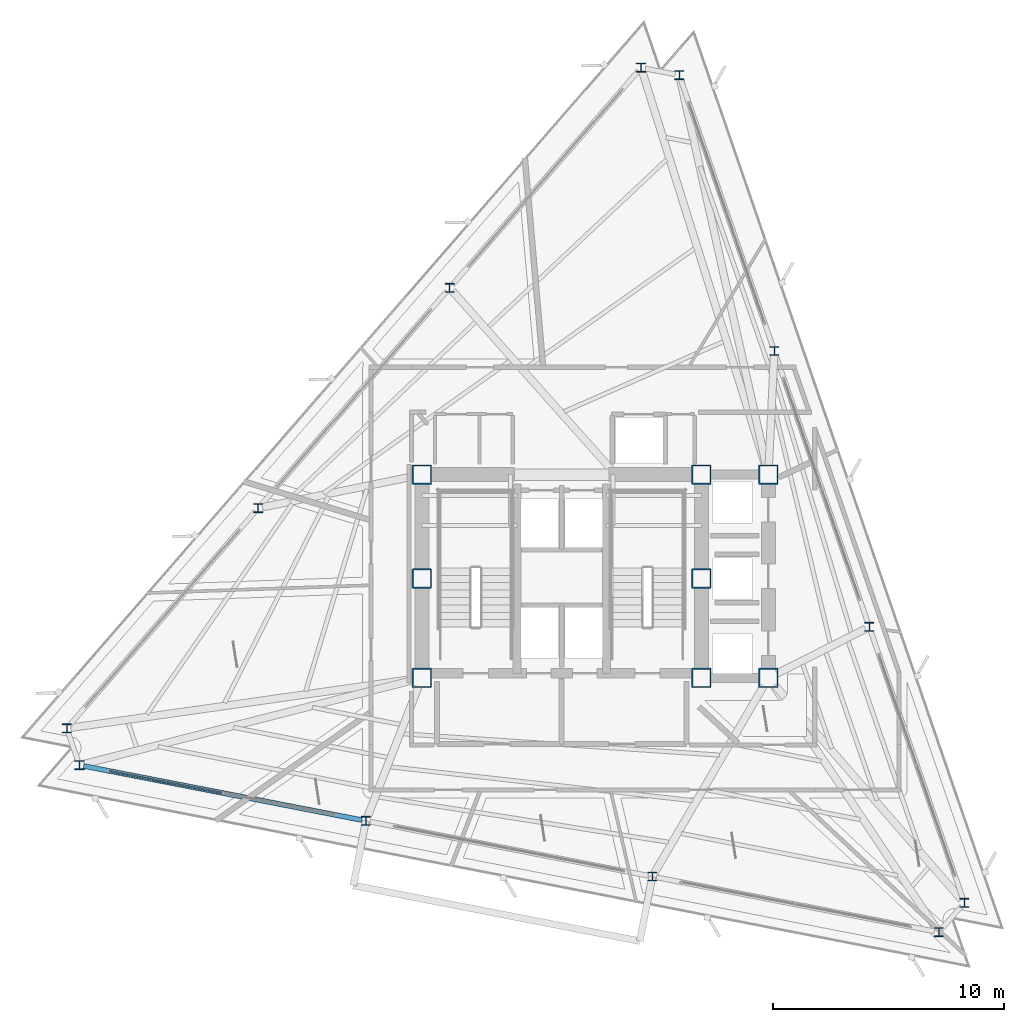
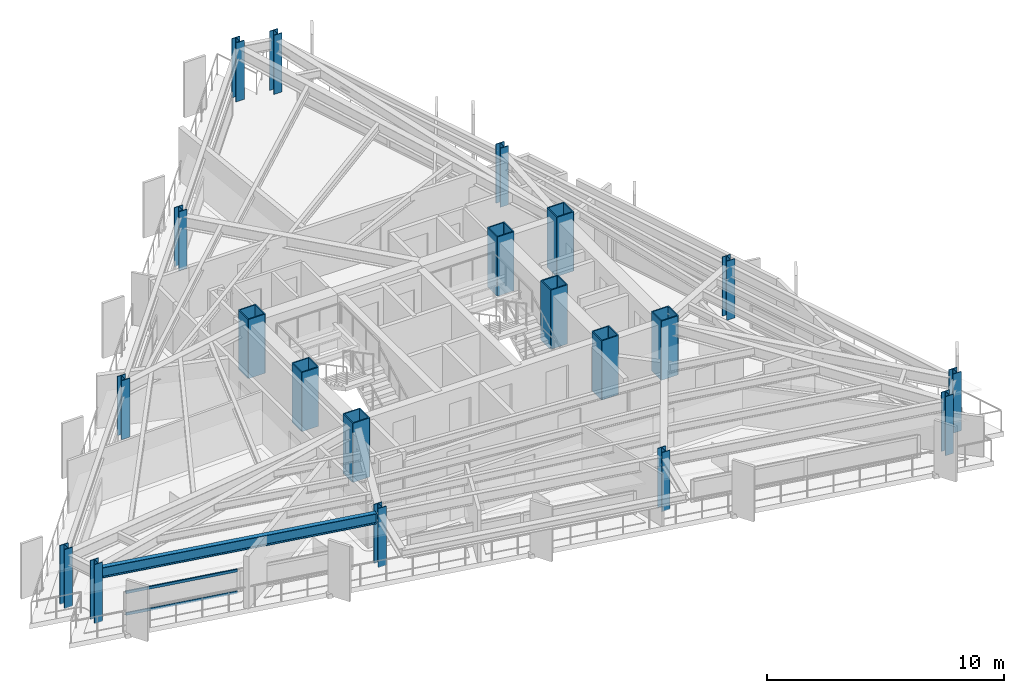
# One storey, part 1 of 14: 20 columns, 2 members, 1 beam, 1 element without a shape of its own.
"""IFC4 building model written with IfcOpenShell, lengths in metres."""

from ifc_helpers import new_model, si_unit, direction, frame, origin, origin_2d, place, context, subcontext, project, spatial, rectangle, hollow_rectangle, i_section, extrude, material, layer, layer_set, material_profile, profile_set, type_object, element, aggregate, save


model = new_model("IFC4")

# Units and contexts
model_context = context("Model", 3, precision=1e-05, world=origin(), true_north=direction((0.0, 1.0)))
body_context = subcontext(model_context, "Body", "Model", "MODEL_VIEW")
ifc_project = project(units=[si_unit("LENGTHUNIT", "METRE"), si_unit("AREAUNIT", "SQUARE_METRE"), si_unit("VOLUMEUNIT", "CUBIC_METRE"), si_unit("PLANEANGLEUNIT", "RADIAN"), si_unit("MASSUNIT", "GRAM", prefix="KILO")], contexts=[model_context])

# Site, building, storey
site_placement = place(None, origin())
site = spatial("IfcSite", under=ifc_project, at=site_placement, CompositionType="ELEMENT")
building_placement = place(site_placement, origin())
building = spatial("IfcBuilding", under=site, at=building_placement, Name="Rocaltana Carrier Exchange", CompositionType="ELEMENT")
storey_placement = place(building_placement, frame((0.0, 0.0, 168.47998046875)))
storey = spatial("IfcBuildingStorey", under=building, at=storey_placement, Name="L53", CompositionType="ELEMENT", Elevation=168.47998046875)

# Columns
ifc_material_1 = material(Name="Steel S460", Category="steel")
ifc_material_profile_1 = material_profile(ifc_material_1, hollow_rectangle(XDim=0.85009765625, YDim=0.85009765625, WallThickness=0.054931640625, InnerFilletRadius=0.02001953125, OuterFilletRadius=0.0400390625, at=origin_2d()), Name="BOX850X850X55")
ifc_profile_set_1 = profile_set([ifc_material_profile_1], Name="Steel S460")
column_type_1 = type_object("IfcColumnType", Name="Core Mega-Column BOX850", PredefinedType="COLUMN", material=ifc_profile_set_1)
for number, where, z_axis, x_axis, name in (
    (1, (-6.050048828125, 4.5, 0.0), (0.0, 0.0, 1.0), (1.0, 0.0, 0.0), "L53 Core Mega-Column MC1"),
    (2, (6.050048828125, 4.5, 0.0), (0.0, 0.0, 1.0), (1.0, 0.0, 0.0), "L53 Core Mega-Column MC2"),
    (3, (-6.050048828125, 0.0, 0.0), (0.0, 0.0, 1.0), (1.0, 0.0, 0.0), "L53 Core Mega-Column MC3"),
    (4, (6.050048828125, 0.0, 0.0), (0.0, 0.0, 1.0), (1.0, 0.0, 0.0), "L53 Core Mega-Column MC4"),
    (5, (-6.050048828125, -4.300048828125, 0.0), (0.0, 0.0, 1.0), (1.0, 0.0, 0.0), "L53 Core Mega-Column MC5"),
    (6, (6.050048828125, -4.300048828125, 0.0), (0.0, 0.0, 1.0), (1.0, 0.0, 0.0), "L53 Core Mega-Column MC6"),
    (7, (8.949951171875, 4.5, 0.0), (0.0, 0.0, 1.0), (1.0, 0.0, 0.0), "L53 East Core Column EC1"),
    (8, (8.949951171875, -4.300048828125, 0.0), (0.0, 0.0, 1.0), (1.0, 0.0, 0.0), "L53 East Core Column EC2"),
):
    element("IfcColumn", number, at=place(storey_placement, frame(where, z_axis=z_axis, x_axis=x_axis)), inside=storey, type_object=column_type_1, Name=name, PredefinedType="COLUMN", context=body_context, shape_type="SweptSolid", body=[
        extrude(hollow_rectangle(XDim=0.85009765625, YDim=0.85009765625, WallThickness=0.054931640625, InnerFilletRadius=0.02001953125, OuterFilletRadius=0.0400390625, at=origin_2d()), origin(), (0.0, 0.0, 1.0), 3.0400390625),
    ])
ifc_material_2 = material(Name="Steel S355", Category="steel")
ifc_material_profile_2 = material_profile(ifc_material_2, i_section(OverallWidth=0.39794921875, OverallDepth=0.386962890625, WebThickness=0.02099609375, FlangeThickness=0.033203125, FilletRadius=0.01806640625, at=origin_2d()), Name="W14X176")
ifc_profile_set_2 = profile_set([ifc_material_profile_2], Name="Steel S355")
column_type_2 = type_object("IfcColumnType", Name="Perimeter Column W14X176", PredefinedType="COLUMN", material=ifc_profile_set_2)
for number, where, z_axis, x_axis, name in (
    (9, (17.43408203125, -14.038818359375, 0.0), (0.0, 0.0, 1.0), (1.0, 0.0, 0.0), "L53 Perimeter Column TC01"),
    (10, (13.321044921875, -2.09375, 0.0), (0.0, 0.0, 1.0), (1.0, 0.0, 0.0), "L53 Perimeter Column TC02"),
    (11, (9.2080078125, 9.851318359375, 0.0), (0.0, 0.0, 1.0), (1.0, 0.0, 0.0), "L53 Perimeter Column TC03"),
    (12, (5.094970703125, 21.79638671875, 0.0), (0.0, 0.0, 1.0), (1.0, 0.0, 0.0), "L53 Perimeter Column TC04"),
    (13, (3.44091796875, 22.117919921875, 0.0), (0.0, 0.0, 1.0), (1.0, 0.0, 0.0), "L53 Perimeter Column TC05"),
    (14, (-4.84716796875, 12.583251953125, 0.0), (0.0, 0.0, 1.0), (1.0, 0.0, 0.0), "L53 Perimeter Column TC06"),
    (15, (-13.135498046875, 3.048828125, 0.0), (0.0, 0.0, 1.0), (1.0, 0.0, 0.0), "L53 Perimeter Column TC07"),
    (16, (-21.423583984375, -6.485595703125, 0.0), (0.0, 0.0, 1.0), (1.0, 0.0, 0.0), "L53 Perimeter Column TC08"),
    (17, (-20.875, -8.078857421875, 0.0), (0.0, 0.0, 1.0), (1.0, 0.0, 0.0), "L53 Perimeter Column TC09"),
    (18, (-8.473876953125, -10.489501953125, 0.0), (0.0, 0.0, 1.0), (1.0, 0.0, 0.0), "L53 Perimeter Column TC10"),
    (19, (3.927490234375, -12.89990234375, 0.0), (0.0, 0.0, 1.0), (1.0, 0.0, 0.0), "L53 Perimeter Column TC11"),
    (20, (16.32861328125, -15.310546875, 0.0), (0.0, 0.0, 1.0), (1.0, 0.0, 0.0), "L53 Perimeter Column TC12"),
):
    element("IfcColumn", number, at=place(storey_placement, frame(where, z_axis=z_axis, x_axis=x_axis)), inside=storey, type_object=column_type_2, Name=name, PredefinedType="COLUMN", context=body_context, shape_type="SweptSolid", body=[
        extrude(i_section(OverallWidth=0.39794921875, OverallDepth=0.386962890625, WebThickness=0.02099609375, FlangeThickness=0.033203125, FilletRadius=0.01806640625, at=origin_2d()), origin(), (0.0, 0.0, 1.0), 3.0400390625),
    ])

# Curtain wall, members
ifc_material_3 = material(Name="Aluminium 6063-T6", Category="aluminium")
ifc_layer = layer(ifc_material_3, 0.135009765625)
ifc_layer_set = layer_set([ifc_layer], Name="Aluminium 6063-T6")
curtain_wall_type = type_object("IfcCurtainWallType", Name="Upper-Mid Acoustic Curtain Wall CW-04", PredefinedType="NOTDEFINED", material=ifc_layer_set)
curtain_wall_placement = place(storey_placement, origin())
curtain_wall = element("IfcCurtainWall", 21, at=curtain_wall_placement, inside=storey, type_object=curtain_wall_type, Name="L53 CW-04 Run CW-L53-F3S1", PredefinedType="NOTDEFINED")
ifc_material_4 = material(Name="Aluminium 6063-T6", Category="aluminium")
ifc_material_profile_3 = material_profile(ifc_material_4, rectangle(XDim=0.06494140625, YDim=0.135009765625, at=origin_2d()), Name="AL-65X135")
ifc_profile_set_3 = profile_set([ifc_material_profile_3], Name="Aluminium 6063-T6")
member_type = type_object("IfcMemberType", Name="CW-04 Transom AL-65X135", PredefinedType="USERDEFINED", material=ifc_profile_set_3)
member_1_placement = place(storey_placement, frame((-19.584228515625, -8.329833984375, 0.032470703125), z_axis=(0.981633795462, -0.190774976365, 0.0), x_axis=(0.190774976365, 0.981633795462, 0.0)))
member_1 = element("IfcMember", 22, at=member_1_placement, type_object=member_type, Name="CW-04 transom 1.1", ObjectType="TRANSOM", PredefinedType="USERDEFINED", context=body_context, shape_type="SweptSolid", body=[
    extrude(rectangle(XDim=0.06494140625, YDim=0.135009765625, at=origin_2d()), origin(), (0.0, 0.0, 1.0), 4.96923828125),
])
member_2_placement = place(storey_placement, frame((-19.584228515625, -8.329833984375, 1.1455078125), z_axis=(0.981633795462, -0.190774976365, 0.0), x_axis=(0.190774976365, 0.981633795462, 0.0)))
member_2 = element("IfcMember", 23, at=member_2_placement, type_object=member_type, Name="CW-04 transom 1.2", ObjectType="TRANSOM", PredefinedType="USERDEFINED", context=body_context, shape_type="SweptSolid", body=[
    extrude(rectangle(XDim=0.06494140625, YDim=0.135009765625, at=origin_2d()), origin(), (0.0, 0.0, 1.0), 4.96923828125),
])
aggregate(curtain_wall, [member_1, member_2])

# Beam
ifc_material_5 = material(Name="Steel S355", Category="steel")
ifc_material_profile_4 = material_profile(ifc_material_5, i_section(OverallWidth=0.2119140625, OverallDepth=0.5439453125, WebThickness=0.01318359375, FlangeThickness=0.021240234375, FilletRadius=0.014892578125, at=origin_2d()), Name="W21X83")
ifc_profile_set_4 = profile_set([ifc_material_profile_4], Name="Steel S355")
beam_type = type_object("IfcBeamType", Name="Spandrel Edge Beam W21X83", PredefinedType="SPANDREL", material=ifc_profile_set_4)
beam_placement = place(storey_placement, frame((-20.693115234375, -8.1142578125, 2.446044921875), z_axis=(0.981626164488, -0.190814237394, 0.0), x_axis=(0.190814237394, 0.981626164488, 0.0)))
element("IfcBeam", 24, at=beam_placement, inside=storey, type_object=beam_type, Name="SP-L53-09", PredefinedType="SPANDREL", context=body_context, shape_type="SweptSolid", body=[
    extrude(i_section(OverallWidth=0.2119140625, OverallDepth=0.5439453125, WebThickness=0.01318359375, FlangeThickness=0.021240234375, FilletRadius=0.014892578125, at=origin_2d()), origin(), (0.0, 0.0, 1.0), 12.262451171875),
])

save(model, "model.ifc")
